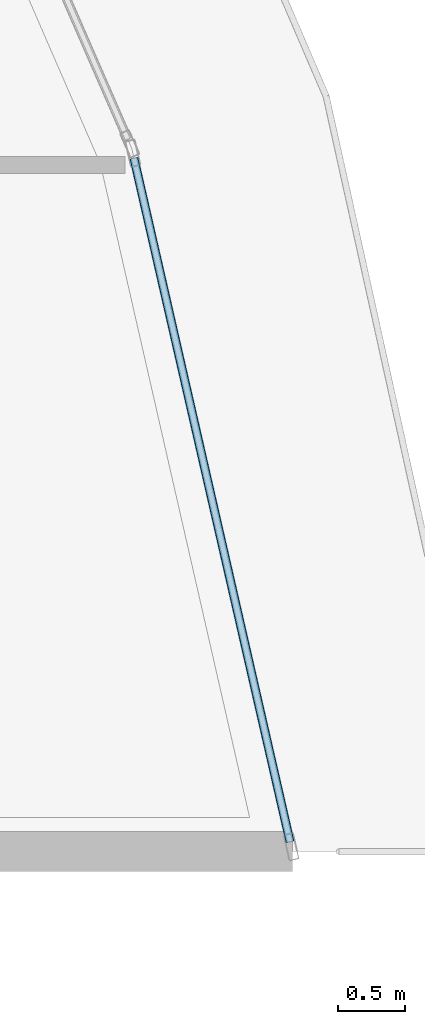
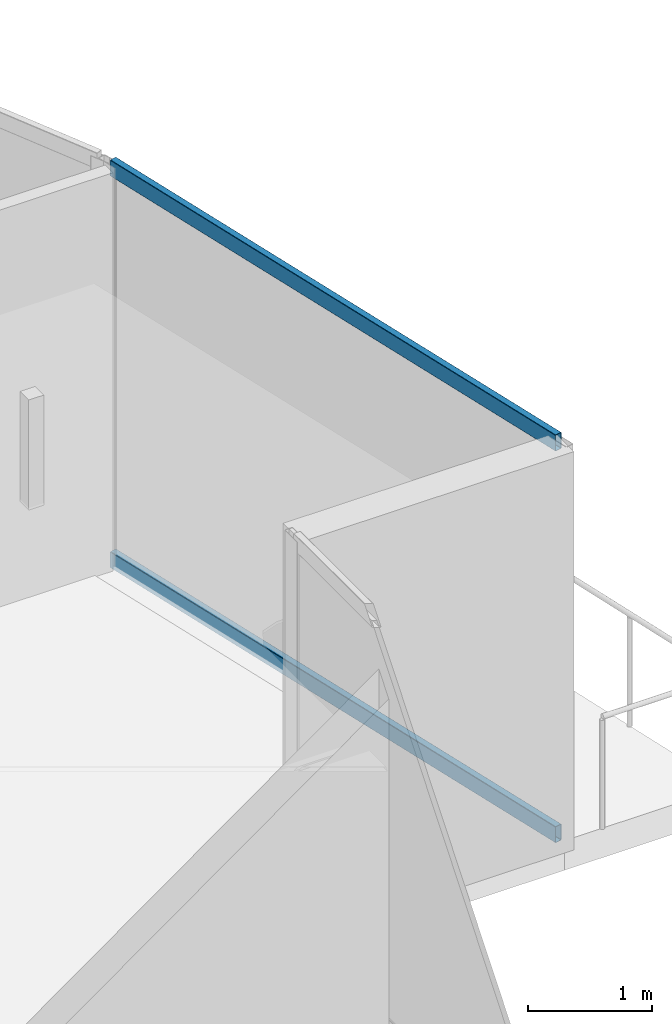
# One storey, part 14 of 34: 2 members, 1 element without a shape of its own.
"""IFC4 building model written with IfcOpenShell, lengths in metres."""

from ifc_helpers import new_model, si_unit, direction, frame, origin, origin_2d, place, context, subcontext, project, spatial, hollow_rectangle, extrude, material, layer, layer_set, material_profile, profile_set, type_object, element, aggregate, save


model = new_model("IFC4")

# Units and contexts
model_context = context("Model", 3, precision=1e-05, world=origin(), true_north=direction((0.0, 1.0)))
body_context = subcontext(model_context, "Body", "Model", "MODEL_VIEW")
ifc_project = project(units=[si_unit("LENGTHUNIT", "METRE"), si_unit("AREAUNIT", "SQUARE_METRE"), si_unit("VOLUMEUNIT", "CUBIC_METRE"), si_unit("PLANEANGLEUNIT", "RADIAN"), si_unit("MASSUNIT", "GRAM", prefix="KILO")], contexts=[model_context])

# Site, building, storey
site_placement = place(None, origin())
site = spatial("IfcSite", under=ifc_project, at=site_placement, CompositionType="ELEMENT")
building_placement = place(site_placement, origin())
building = spatial("IfcBuilding", under=site, at=building_placement, Name="Qorvath Tower", CompositionType="ELEMENT")
storey_placement = place(building_placement, frame((0.0, 0.0, 276.60009765625)))
storey = spatial("IfcBuildingStorey", under=building, at=storey_placement, Name="L64", CompositionType="ELEMENT", Elevation=276.60009765625)

# Curtain wall, members
ifc_material_1 = material(Name="Anodised aluminium and triple low-E glass", Category="aluminium")
ifc_layer = layer(ifc_material_1, 0.179931640625)
ifc_layer_set = layer_set([ifc_layer], Name="CW-SYS-4")
curtain_wall_type = type_object("IfcCurtainWallType", Name="CW-SYS-4", PredefinedType="NOTDEFINED", material=ifc_layer_set)
curtain_wall_placement = place(storey_placement, origin())
curtain_wall = element("IfcCurtainWall", 1, at=curtain_wall_placement, inside=storey, type_object=curtain_wall_type, Name="Curtain Wall CW-4 CW-T-L64-11.1", PredefinedType="NOTDEFINED")
ifc_material_2 = material(Name="Anodised aluminium 6063-T6", Category="aluminium")
ifc_material_profile = material_profile(ifc_material_2, hollow_rectangle(XDim=0.06494140625, YDim=0.159912109375, WallThickness=0.00341796875, InnerFilletRadius=0.00341796875, OuterFilletRadius=0.007080078125, at=origin_2d()), Name="CWT 160x65")
ifc_profile_set = profile_set([ifc_material_profile], Name="Anodised aluminium 6063-T6")
member_type = type_object("IfcMemberType", Name="CWT-160", PredefinedType="USERDEFINED", material=ifc_profile_set)
member_1_placement = place(storey_placement, frame((-2.028076171875, 3.864013671875, 0.032470703125), z_axis=(-0.222639621709, 0.974900814876, 0.0), x_axis=(-0.974900814876, -0.222639621709, 0.0)))
member_1 = element("IfcMember", 2, at=member_1_placement, type_object=member_type, Name="CW-4 transom 1.1", ObjectType="TRANSOM", PredefinedType="USERDEFINED", context=body_context, shape_type="SweptSolid", body=[
    extrude(hollow_rectangle(XDim=0.06494140625, YDim=0.159912109375, WallThickness=0.00341796875, InnerFilletRadius=0.00341796875, OuterFilletRadius=0.007080078125, at=origin_2d()), origin(), (0.0, 0.0, 1.0), 5.262451171875),
])
member_2_placement = place(storey_placement, frame((-2.028076171875, 3.864013671875, 3.87744140625), z_axis=(-0.222639621709, 0.974900814876, 0.0), x_axis=(-0.974900814876, -0.222639621709, 0.0)))
member_2 = element("IfcMember", 3, at=member_2_placement, type_object=member_type, Name="CW-4 transom 1.2", ObjectType="TRANSOM", PredefinedType="USERDEFINED", context=body_context, shape_type="SweptSolid", body=[
    extrude(hollow_rectangle(XDim=0.06494140625, YDim=0.159912109375, WallThickness=0.00341796875, InnerFilletRadius=0.00341796875, OuterFilletRadius=0.007080078125, at=origin_2d()), origin(), (0.0, 0.0, 1.0), 5.262451171875),
])
aggregate(curtain_wall, [member_1, member_2])

save(model, "model.ifc")
